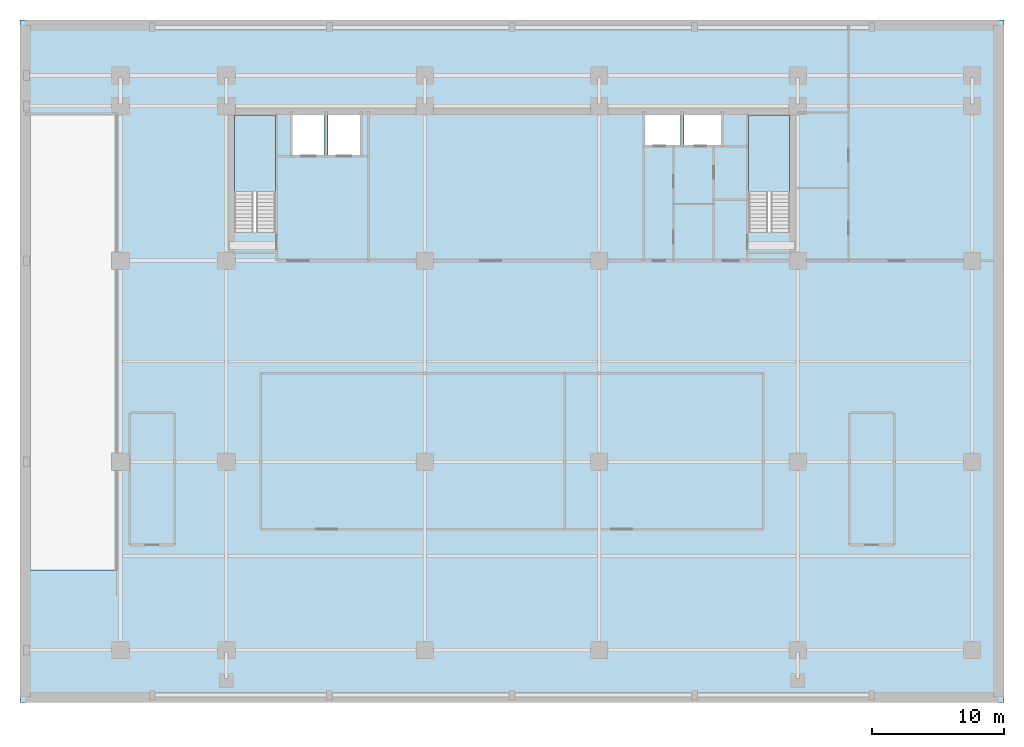
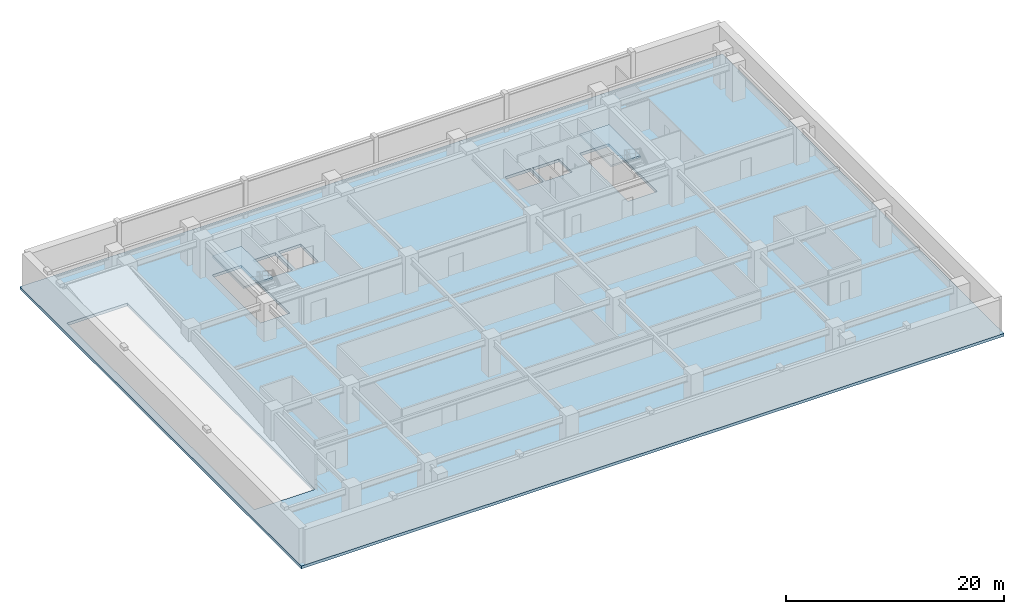
# One storey, part 2 of 8: 3 slabs, 2 elements without a shape of their own.
"""IFC4 building model written with IfcOpenShell, lengths in metres."""

from ifc_helpers import new_model, si_unit, direction, frame, origin, place, context, subcontext, project, spatial, polyline, outline, extrude, material, layer, layer_set, type_object, element, aggregate, save


model = new_model("IFC4")

# Units and contexts
model_context = context("Model", 3, precision=1e-05, world=origin(), true_north=direction((0.0, 1.0)))
body_context = subcontext(model_context, "Body", "Model", "MODEL_VIEW")
ifc_project = project(units=[si_unit("LENGTHUNIT", "METRE"), si_unit("AREAUNIT", "SQUARE_METRE"), si_unit("VOLUMEUNIT", "CUBIC_METRE"), si_unit("PLANEANGLEUNIT", "RADIAN"), si_unit("MASSUNIT", "GRAM", prefix="KILO")], contexts=[model_context])

# Site, building, storey
site_placement = place(None, origin())
site = spatial("IfcSite", under=ifc_project, at=site_placement, CompositionType="ELEMENT")
building_placement = place(site_placement, origin())
building = spatial("IfcBuilding", under=site, at=building_placement, Name="Trelvane Seafront Commons", CompositionType="ELEMENT")
storey_placement = place(building_placement, frame((0.0, 0.0, -4.300048828125)))
storey = spatial("IfcBuildingStorey", under=building, at=storey_placement, Name="B01", CompositionType="ELEMENT", Elevation=-4.300048828125)

# Stair, slab
ifc_material_1 = material(Name="Concrete C40/50", Category="concrete")
stair_type_1 = type_object("IfcStairType", Name="ARCH-STR-ST-1-R24-179", PredefinedType="HALF_TURN_STAIR", material=ifc_material_1)
stair_1_placement = place(storey_placement, origin())
stair_1 = element("IfcStair", 1, at=stair_1_placement, inside=storey, type_object=stair_type_1, Name="B01 West Protected Firefighting Exit Stair ST-1", PredefinedType="HALF_TURN_STAIR")
ifc_layer_1 = layer(ifc_material_1, 0.199951171875, Name="ARCH-LND-200")
ifc_layer_set_1 = layer_set([ifc_layer_1], Name="Concrete C40/50")
slab_type_1 = type_object("IfcSlabType", Name="ARCH-LND-200", PredefinedType="LANDING", material=ifc_layer_set_1)
slab_1_placement = place(storey_placement, frame((0.0, 0.0, 1.949951171875)))
slab_1 = element("IfcSlab", 2, at=slab_1_placement, type_object=slab_type_1, Name="ST-1 landing 1", PredefinedType="LANDING", context=body_context, shape_type="SweptSolid", body=[
    extrude(outline(polyline([(19.300048828125, 38.6298828125), (19.300048828125, 44.39990234375), (16.199951171875, 44.39990234375), (16.199951171875, 38.6298828125), (19.300048828125, 38.6298828125)])), origin(), (0.0, 0.0, 1.0), 0.2001953125),
])
aggregate(stair_1, [slab_1])

stair_type_2 = type_object("IfcStairType", Name="ARCH-STR-ST-2-R24-179", PredefinedType="HALF_TURN_STAIR", material=ifc_material_1)
stair_2_placement = place(storey_placement, origin())
stair_2 = element("IfcStair", 3, at=stair_2_placement, inside=storey, type_object=stair_type_2, Name="B01 East Protected Firefighting Exit Stair ST-2", PredefinedType="HALF_TURN_STAIR")
slab_2_placement = place(storey_placement, frame((0.0, 0.0, 1.949951171875)))
slab_2 = element("IfcSlab", 4, at=slab_2_placement, type_object=slab_type_1, Name="ST-2 landing 1", PredefinedType="LANDING", context=body_context, shape_type="SweptSolid", body=[
    extrude(outline(polyline([(58.199951171875, 38.6298828125), (58.199951171875, 44.39990234375), (55.10009765625, 44.39990234375), (55.10009765625, 38.6298828125), (58.199951171875, 38.6298828125)])), origin(), (0.0, 0.0, 1.0), 0.2001953125),
])
aggregate(stair_2, [slab_2])

# Slab
ifc_material_2 = material(Name="Concrete C50/60", Category="concrete")
ifc_layer_2 = layer(ifc_material_2, 0.320068359375, Name="STR-SLB-B320")
ifc_layer_set_2 = layer_set([ifc_layer_2], Name="Concrete C50/60")
slab_type_2 = type_object("IfcSlabType", Name="STR-SLB-B320", PredefinedType="FLOOR", material=ifc_layer_set_2)
slab_3_placement = place(storey_placement, frame((0.0, 0.0, -0.320068359375)))
element("IfcSlab", 5, at=slab_3_placement, inside=storey, type_object=slab_type_2, Name="B01 Structural Floor Slab", PredefinedType="FLOOR", context=body_context, shape_type="SweptSolid", body=[
    extrude(outline(polyline([(0.0, 0.0), (74.39990234375, 0.0), (74.39990234375, 51.60009765625), (0.0, 51.60009765625), (0.0, 0.0)]), holes=[polyline([(7.199951171875, 44.39990234375), (7.199951171875, 10.0), (0.800048828125, 10.0), (0.800048828125, 44.39990234375), (7.199951171875, 44.39990234375)]), polyline([(19.300048828125, 35.550048828125), (16.199951171875, 35.550048828125), (16.199951171875, 44.39990234375), (19.300048828125, 44.39990234375), (19.300048828125, 35.550048828125)]), polyline([(58.199951171875, 35.550048828125), (55.10009765625, 35.550048828125), (55.10009765625, 44.39990234375), (58.199951171875, 44.39990234375), (58.199951171875, 35.550048828125)]), polyline([(23.0, 41.39990234375), (20.60009765625, 41.39990234375), (20.60009765625, 44.60009765625), (23.0, 44.60009765625), (23.0, 41.39990234375)]), polyline([(25.699951171875, 41.39990234375), (23.300048828125, 41.39990234375), (23.300048828125, 44.60009765625), (25.699951171875, 44.60009765625), (25.699951171875, 41.39990234375)]), polyline([(49.949951171875, 42.14990234375), (47.25, 42.14990234375), (47.25, 44.550048828125), (49.949951171875, 44.550048828125), (49.949951171875, 42.14990234375)]), polyline([(53.0, 42.14990234375), (50.199951171875, 42.14990234375), (50.199951171875, 44.550048828125), (53.0, 44.550048828125), (53.0, 42.14990234375)])]), origin(), (0.0, 0.0, 1.0), 0.320068359375),
])

save(model, "model.ifc")
